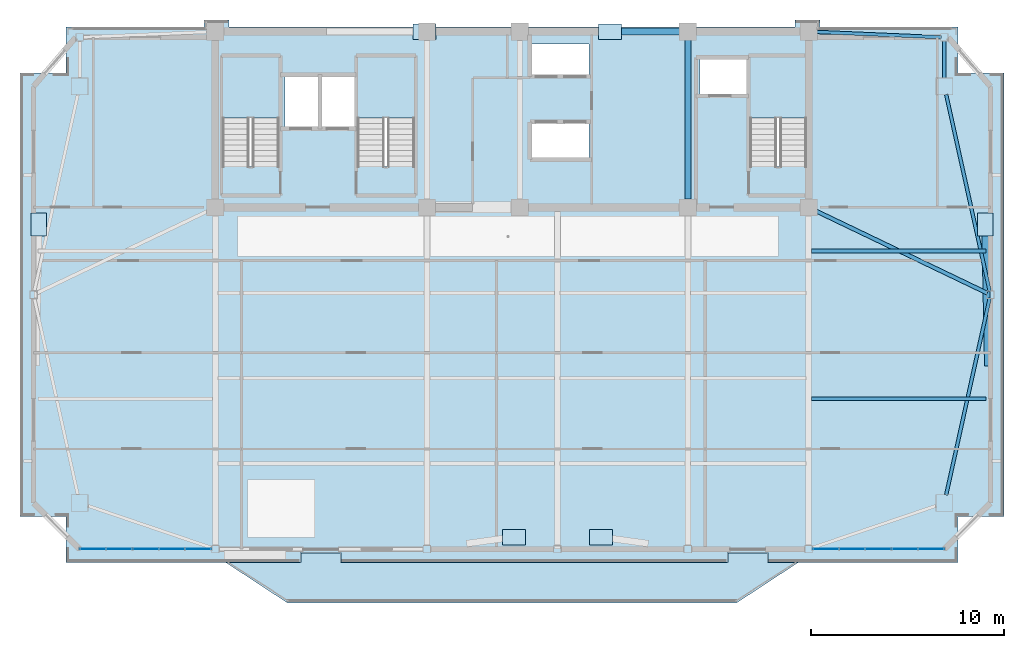
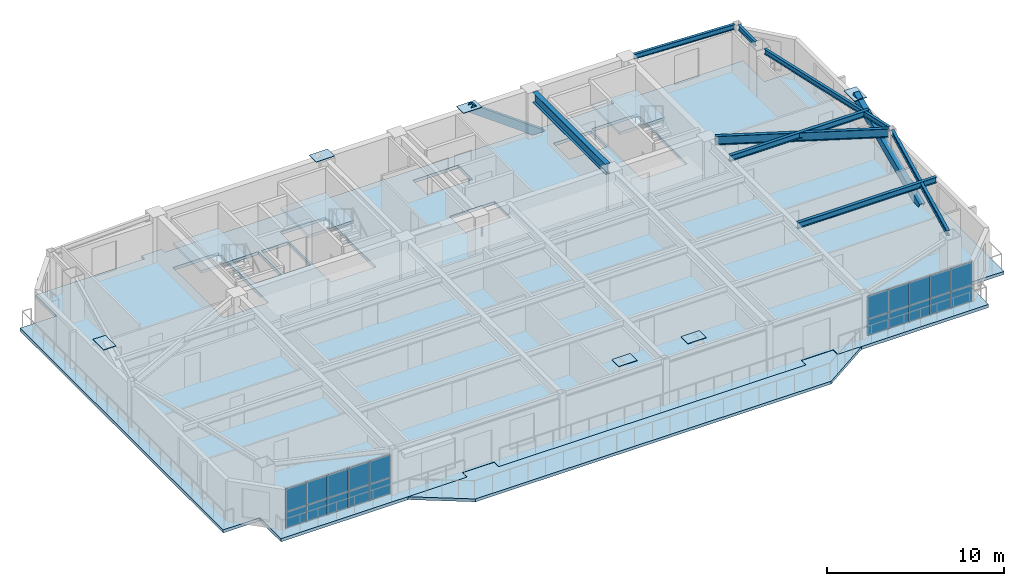
# One storey, part 5 of 13: 26 plates, 8 beams, 5 slabs, 2 members, 5 elements without a shape of their own.
"""IFC4 building model written with IfcOpenShell, lengths in metres."""

from ifc_helpers import new_model, si_unit, direction, frame, origin, origin_2d, place, context, subcontext, project, spatial, polyline, rectangle, hollow_rectangle, i_section, outline, extrude, source, transform, mapped, material, layer, layer_set, material_profile, profile_set, type_object, element, aggregate, save


model = new_model("IFC4")

# Units and contexts
model_context = context("Model", 3, precision=1e-05, world=origin(), true_north=direction((0.0, 1.0)))
body_context = subcontext(model_context, "Body", "Model", "MODEL_VIEW")
ifc_project = project(units=[si_unit("LENGTHUNIT", "METRE"), si_unit("AREAUNIT", "SQUARE_METRE"), si_unit("VOLUMEUNIT", "CUBIC_METRE"), si_unit("PLANEANGLEUNIT", "RADIAN"), si_unit("MASSUNIT", "GRAM", prefix="KILO")], contexts=[model_context])

# Site, building, storey
site_placement = place(None, origin())
site = spatial("IfcSite", under=ifc_project, at=site_placement, CompositionType="ELEMENT")
building_placement = place(site_placement, origin())
building = spatial("IfcBuilding", under=site, at=building_placement, Name="Giltprow Tower", CompositionType="ELEMENT")
storey_placement = place(building_placement, frame((0.0, 0.0, 307.39990234375)))
storey = spatial("IfcBuildingStorey", under=building, at=storey_placement, Name="L79", CompositionType="ELEMENT", Elevation=307.39990234375)

# Beams
ifc_material_1 = material(Name="Structural steel Q355B", Category="steel")
ifc_material_profile_1 = material_profile(ifc_material_1, i_section(OverallWidth=0.300048828125, OverallDepth=0.699951171875, WebThickness=0.012939453125, FlangeThickness=0.02392578125, at=origin_2d()), Name="HN 700x300x13x24")
ifc_profile_set_1 = profile_set([ifc_material_profile_1], Name="Structural steel Q355B")
beam_type_1 = type_object("IfcBeamType", Name="BM-GIRD-HN700", PredefinedType="BEAM", material=ifc_profile_set_1)
shared_shape_1 = source(origin(), body_context, "Body", "SweptSolid", [
    extrude(i_section(OverallWidth=0.300048828125, OverallDepth=0.699951171875, WebThickness=0.012939453125, FlangeThickness=0.02392578125, at=origin_2d()), origin(), (0.0, 0.0, 1.0), 8.22998046875),
])
beam_1_placement = place(storey_placement, frame((44.300048828125, 37.885009765625, 2.835205078125), z_axis=(0.0, 1.0, 0.0), x_axis=(-1.0, 0.0, 0.0)))
element("IfcBeam", 1, at=beam_1_placement, inside=storey, type_object=beam_type_1, Name="L79 Core Tie Girder M3", PredefinedType="BEAM", context=body_context, shape_type="MappedRepresentation", body=[
    mapped(shared_shape_1, transform((0.0, 0.0, 0.0), x_axis=(1.0, 0.0, 0.0), y_axis=(0.0, 1.0, 0.0), z_axis=(0.0, 0.0, 1.0), scale=1.0)),
])
ifc_material_profile_2 = material_profile(ifc_material_1, i_section(OverallWidth=0.199951171875, OverallDepth=0.39990234375, WebThickness=0.008056640625, FlangeThickness=0.012939453125, at=origin_2d()), Name="HN 400x200x8x13")
ifc_profile_set_2 = profile_set([ifc_material_profile_2], Name="Structural steel Q355B")
beam_type_2 = type_object("IfcBeamType", Name="BM-JOIST-HN400", PredefinedType="JOIST", material=ifc_profile_set_2)
shared_shape_2 = source(origin(), body_context, "Body", "SweptSolid", [
    extrude(i_section(OverallWidth=0.199951171875, OverallDepth=0.39990234375, WebThickness=0.008056640625, FlangeThickness=0.012939453125, at=origin_2d()), origin(), (0.0, 0.0, 1.0), 9.044921875),
])
for number, where, z_axis, x_axis, name in (
    (2, (50.695068359375, 27.547119140625, 2.985107421875), (1.0, 0.0, 0.0), (0.0, 1.0, 0.0), "L79 East Wing Floor Joist 1"),
    (3, (50.695068359375, 35.193115234375, 2.985107421875), (1.0, 0.0, 0.0), (0.0, 1.0, 0.0), "L79 East Wing Floor Joist 2"),
):
    element("IfcBeam", number, at=place(storey_placement, frame(where, z_axis=z_axis, x_axis=x_axis)), inside=storey, type_object=beam_type_2, Name=name, PredefinedType="JOIST", context=body_context, shape_type="MappedRepresentation", body=[
        mapped(shared_shape_2, transform((0.0, 0.0, 0.0), x_axis=(1.0, 0.0, 0.0), y_axis=(0.0, 1.0, 0.0), z_axis=(0.0, 0.0, 1.0), scale=1.0)),
    ])
ifc_material_profile_3 = material_profile(ifc_material_1, i_section(OverallWidth=0.175048828125, OverallDepth=0.35009765625, WebThickness=0.007080078125, FlangeThickness=0.010986328125, at=origin_2d()), Name="HN 350x175x7x11")
ifc_profile_set_3 = profile_set([ifc_material_profile_3], Name="Structural steel Q355B")
beam_type_3 = type_object("IfcBeamType", Name="BM-SPAN-HN350", PredefinedType="SPANDREL", material=ifc_profile_set_3)
shared_shape_3 = source(origin(), body_context, "Body", "SweptSolid", [
    extrude(i_section(OverallWidth=0.175048828125, OverallDepth=0.35009765625, WebThickness=0.007080078125, FlangeThickness=0.010986328125, at=origin_2d()), origin(), (0.0, 0.0, 1.0), 10.4189453125),
])
beam_2_placement = place(storey_placement, frame((57.6689453125, 22.58203125, 3.010009765625), z_axis=(0.216047103841, 0.976382941741, 0.0), x_axis=(-0.976382941741, 0.216047103841, 0.0)))
element("IfcBeam", 4, at=beam_2_placement, inside=storey, type_object=beam_type_3, Name="L79 Perimeter Spandrel Beam MC_SE-E_MID", PredefinedType="SPANDREL", context=body_context, shape_type="MappedRepresentation", body=[
    mapped(shared_shape_3, transform((0.0, 0.0, 0.0), x_axis=(1.0, 0.0, 0.0), y_axis=(0.0, 1.0, 0.0), z_axis=(0.0, 0.0, 1.0), scale=1.0)),
])
shared_shape_4 = source(origin(), body_context, "Body", "SweptSolid", [
    extrude(i_section(OverallWidth=0.175048828125, OverallDepth=0.35009765625, WebThickness=0.007080078125, FlangeThickness=0.010986328125, at=origin_2d()), origin(), (0.0, 0.0, 1.0), 10.419189453125),
])
beam_3_placement = place(storey_placement, frame((59.919921875, 33.116943359375, 3.010009765625), z_axis=(-0.216042161002, 0.976384035444, 0.0), x_axis=(-0.976384035444, -0.216042161002, 0.0)))
element("IfcBeam", 5, at=beam_3_placement, inside=storey, type_object=beam_type_3, Name="L79 Perimeter Spandrel Beam E_MID-MC_NE", PredefinedType="SPANDREL", context=body_context, shape_type="MappedRepresentation", body=[
    mapped(shared_shape_4, transform((0.0, 0.0, 0.0), x_axis=(1.0, 0.0, 0.0), y_axis=(0.0, 1.0, 0.0), z_axis=(0.0, 0.0, 1.0), scale=1.0)),
])
shared_shape_5 = source(origin(), body_context, "Body", "SweptSolid", [
    extrude(i_section(OverallWidth=0.175048828125, OverallDepth=0.35009765625, WebThickness=0.007080078125, FlangeThickness=0.010986328125, at=origin_2d()), origin(), (0.0, 0.0, 1.0), 1.9150390625),
])
beam_4_placement = place(storey_placement, frame((57.574951171875, 44.14990234375, 3.010009765625), z_axis=(0.0, 1.0, 0.0), x_axis=(-1.0, 0.0, 0.0)))
element("IfcBeam", 6, at=beam_4_placement, inside=storey, type_object=beam_type_3, Name="L79 Perimeter Spandrel Beam MC_NE-N_E", PredefinedType="SPANDREL", context=body_context, shape_type="MappedRepresentation", body=[
    mapped(shared_shape_5, transform((0.0, 0.0, 0.0), x_axis=(1.0, 0.0, 0.0), y_axis=(0.0, 1.0, 0.0), z_axis=(0.0, 0.0, 1.0), scale=1.0)),
])
shared_shape_6 = source(origin(), body_context, "Body", "SweptSolid", [
    extrude(i_section(OverallWidth=0.175048828125, OverallDepth=0.35009765625, WebThickness=0.007080078125, FlangeThickness=0.010986328125, at=origin_2d()), origin(), (0.0, 0.0, 1.0), 6.41064453125),
])
beam_5_placement = place(storey_placement, frame((50.985107421875, 46.531005859375, 3.010009765625), z_axis=(0.99909315406, -0.042577805376, 0.0), x_axis=(0.042577805376, 0.99909315406, 0.0)))
element("IfcBeam", 7, at=beam_5_placement, inside=storey, type_object=beam_type_3, Name="L79 North Wing Spandrel E", PredefinedType="SPANDREL", context=body_context, shape_type="MappedRepresentation", body=[
    mapped(shared_shape_6, transform((0.0, 0.0, 0.0), x_axis=(1.0, 0.0, 0.0), y_axis=(0.0, 1.0, 0.0), z_axis=(0.0, 0.0, 1.0), scale=1.0)),
])
ifc_material_profile_4 = material_profile(ifc_material_1, i_section(OverallWidth=0.199951171875, OverallDepth=0.60009765625, WebThickness=0.010986328125, FlangeThickness=0.01708984375, at=origin_2d()), Name="HN 600x200x11x17")
ifc_profile_set_4 = profile_set([ifc_material_profile_4], Name="Structural steel Q355B")
beam_type_4 = type_object("IfcBeamType", Name="BM-GIRD-HN600", PredefinedType="BEAM", material=ifc_profile_set_4)
shared_shape_7 = source(origin(), body_context, "Body", "SweptSolid", [
    extrude(i_section(OverallWidth=0.199951171875, OverallDepth=0.60009765625, WebThickness=0.010986328125, FlangeThickness=0.01708984375, at=origin_2d()), origin(), (0.0, 0.0, 1.0), 9.816650390625),
])
beam_6_placement = place(storey_placement, frame((59.79296875, 33.01611328125, 2.885009765625), z_axis=(-0.901628977648, 0.432510331281, 0.0), x_axis=(-0.432510331281, -0.901628977648, 0.0)))
element("IfcBeam", 8, at=beam_6_placement, inside=storey, type_object=beam_type_4, Name="L79 East Wing Primary Girder", PredefinedType="BEAM", context=body_context, shape_type="MappedRepresentation", body=[
    mapped(shared_shape_7, transform((0.0, 0.0, 0.0), x_axis=(1.0, 0.0, 0.0), y_axis=(0.0, 1.0, 0.0), z_axis=(0.0, 0.0, 1.0), scale=1.0)),
])

# Members
ifc_material_2 = material(Name="Structural steel Q420GJC", Category="steel")
ifc_material_profile_5 = material_profile(ifc_material_2, hollow_rectangle(XDim=0.35009765625, YDim=0.5, WallThickness=0.02392578125, at=origin_2d()), Name="RHS 500x350x24")
ifc_profile_set_5 = profile_set([ifc_material_profile_5], Name="Structural steel Q420GJC")
member_type = type_object("IfcMemberType", Name="MBR-MEGA-RHS500", PredefinedType="BRACE", material=ifc_profile_set_5)
shared_shape_8 = source(origin(), body_context, "Body", "SweptSolid", [
    extrude(hollow_rectangle(XDim=0.35009765625, YDim=0.5, WallThickness=0.02392578125, at=origin_2d()), origin(), (0.0, 0.0, 1.0), 5.773193359375),
])
member_1_placement = place(storey_placement, frame((44.93310546875, 46.550048828125, -0.139892578125), z_axis=(-0.808205443046, 0.0, 0.588900638335), x_axis=(0.0, -1.0, 0.0)))
element("IfcMember", 9, at=member_1_placement, inside=storey, type_object=member_type, Name="L79 Chevron Mega-Brace N-R", PredefinedType="BRACE", context=body_context, shape_type="MappedRepresentation", body=[
    mapped(shared_shape_8, transform((0.0, 0.0, 0.0), x_axis=(1.0, 0.0, 0.0), y_axis=(0.0, 1.0, 0.0), z_axis=(0.0, 0.0, 1.0), scale=1.0)),
])
shared_shape_9 = source(origin(), body_context, "Body", "SweptSolid", [
    extrude(hollow_rectangle(XDim=0.35009765625, YDim=0.5, WallThickness=0.02392578125, at=origin_2d()), origin(), (0.0, 0.0, 1.0), 7.96484375),
])
member_2_placement = place(storey_placement, frame((59.822021484375, 29.35888671875, 0.0), z_axis=(-0.01731878914, 0.904132751278, 0.426900489119), x_axis=(-0.999816590783, -0.019151626451, 0.0)))
element("IfcMember", 10, at=member_2_placement, inside=storey, type_object=member_type, Name="L79 Chevron Mega-Brace E-D", PredefinedType="BRACE", context=body_context, shape_type="MappedRepresentation", body=[
    mapped(shared_shape_9, transform((0.0, 0.0, 0.0), x_axis=(1.0, 0.0, 0.0), y_axis=(0.0, 1.0, 0.0), z_axis=(0.0, 0.0, 1.0), scale=1.0)),
])

# Slabs
ifc_material_3 = material(Name="Concrete C40", Category="concrete")
ifc_layer_1 = layer(ifc_material_3, 0.199951171875, Name="Concrete C40")
ifc_layer_set_1 = layer_set([ifc_layer_1], Name="Concrete C40")
slab_type_1 = type_object("IfcSlabType", Name="SLB-BALC-BRONZE-200", PredefinedType="FLOOR", material=ifc_layer_set_1)
slab_1_placement = place(storey_placement, frame((0.0, 0.0, -0.199951171875)))
element("IfcSlab", 11, at=slab_1_placement, inside=storey, type_object=slab_type_1, Name="L79 Bronze Prow Waterfront Balcony Slab", PredefinedType="FLOOR", context=body_context, shape_type="SweptSolid", body=[
    extrude(outline(polyline([(50.0, 19.072021484375), (46.800048828125, 16.971923828125), (23.60009765625, 16.971923828125), (20.39990234375, 19.072021484375), (24.280029296875, 19.072021484375), (24.280029296875, 19.572021484375), (26.320068359375, 19.572021484375), (26.320068359375, 19.072021484375), (46.3798828125, 19.072021484375), (46.3798828125, 19.572021484375), (48.419921875, 19.572021484375), (48.419921875, 19.072021484375), (50.0, 19.072021484375)])), origin(), (0.0, 0.0, 1.0), 0.199951171875),
])
ifc_layer_2 = layer(ifc_material_3, 0.215087890625, Name="Concrete C40")
ifc_layer_set_2 = layer_set([ifc_layer_2], Name="Concrete C40")
slab_type_2 = type_object("IfcSlabType", Name="SLB-RES-215", PredefinedType="FLOOR", material=ifc_layer_set_2)
slab_2_placement = place(storey_placement, frame((0.0, 0.0, -0.21484375)))
element("IfcSlab", 12, at=slab_2_placement, inside=storey, type_object=slab_type_2, Name="L79 Structural Composite Floor Slab", PredefinedType="FLOOR", context=body_context, shape_type="SweptSolid", body=[
    extrude(outline(polyline([(60.659912109375, 44.4150390625), (60.659912109375, 21.45703125), (58.27587890625, 21.45703125), (58.27587890625, 19.072021484375), (48.449951171875, 19.072021484375), (48.449951171875, 19.592041015625), (46.35009765625, 19.592041015625), (46.35009765625, 19.072021484375), (26.35009765625, 19.072021484375), (26.35009765625, 19.592041015625), (24.25, 19.592041015625), (24.25, 19.072021484375), (12.125, 19.072021484375), (12.125, 21.45703125), (9.739990234375, 21.45703125), (9.739990234375, 44.4150390625), (12.125, 44.4150390625), (12.125, 46.800048828125), (19.25, 46.800048828125), (19.25, 47.14990234375), (20.550048828125, 47.14990234375), (20.550048828125, 46.800048828125), (49.85009765625, 46.800048828125), (49.85009765625, 47.14990234375), (51.14990234375, 47.14990234375), (51.14990234375, 46.800048828125), (58.27587890625, 46.800048828125), (58.27587890625, 44.4150390625), (60.659912109375, 44.4150390625)]), holes=[polyline([(39.18994140625, 41.800048828125), (36.239990234375, 41.800048828125), (36.239990234375, 40.0), (39.18994140625, 40.0), (39.18994140625, 41.800048828125)]), polyline([(23.159912109375, 39.570068359375), (23.159912109375, 45.25), (20.199951171875, 45.25), (20.199951171875, 39.570068359375), (23.159912109375, 39.570068359375)]), polyline([(30.159912109375, 39.570068359375), (30.159912109375, 45.25), (27.199951171875, 45.25), (27.199951171875, 39.570068359375), (30.159912109375, 39.570068359375)]), polyline([(50.4599609375, 45.25), (47.5, 45.25), (47.5, 39.570068359375), (50.4599609375, 39.570068359375), (50.4599609375, 45.25)]), polyline([(25.169921875, 44.199951171875), (23.449951171875, 44.199951171875), (23.449951171875, 41.60009765625), (25.169921875, 41.60009765625), (25.169921875, 44.199951171875)]), polyline([(27.10009765625, 44.199951171875), (25.35009765625, 44.199951171875), (25.35009765625, 41.60009765625), (27.10009765625, 41.60009765625), (27.10009765625, 44.199951171875)]), polyline([(47.3798828125, 43.300048828125), (47.3798828125, 45.10009765625), (44.919921875, 45.10009765625), (44.919921875, 43.300048828125), (47.3798828125, 43.300048828125)]), polyline([(39.18994140625, 44.300048828125), (39.18994140625, 45.919921875), (36.239990234375, 45.919921875), (36.239990234375, 44.300048828125), (39.18994140625, 44.300048828125)])]), origin(), (0.0, 0.0, 1.0), 0.21484375),
])

# Stair, slab
stair_type_1 = type_object("IfcStairType", Name="STR-ST-1", PredefinedType="HALF_TURN_STAIR", material=ifc_material_3)
stair_1_placement = place(storey_placement, origin())
stair_1 = element("IfcStair", 13, at=stair_1_placement, inside=storey, type_object=stair_type_1, Name="L79 Core Exit Stair ST-1", PredefinedType="HALF_TURN_STAIR")
ifc_layer_3 = layer(ifc_material_3, 0.179931640625, Name="Concrete C40")
ifc_layer_set_3 = layer_set([ifc_layer_3], Name="Concrete C40")
slab_type_3 = type_object("IfcSlabType", Name="SLD-ST-1", PredefinedType="LANDING", material=ifc_layer_set_3)
slab_3_placement = place(storey_placement, frame((0.0, 0.0, 1.52001953125)))
slab_3 = element("IfcSlab", 14, at=slab_3_placement, type_object=slab_type_3, Name="ST-1 landing 1", PredefinedType="LANDING", context=body_context, shape_type="SweptSolid", body=[
    extrude(outline(polyline([(23.159912109375, 42.070068359375), (23.159912109375, 45.25), (20.199951171875, 45.25), (20.199951171875, 42.070068359375), (23.159912109375, 42.070068359375)])), origin(), (0.0, 0.0, 1.0), 0.18017578125),
])
aggregate(stair_1, [slab_3])

stair_type_2 = type_object("IfcStairType", Name="STR-ST-2", PredefinedType="HALF_TURN_STAIR", material=ifc_material_3)
stair_2_placement = place(storey_placement, origin())
stair_2 = element("IfcStair", 15, at=stair_2_placement, inside=storey, type_object=stair_type_2, Name="L79 Core Exit Stair ST-2", PredefinedType="HALF_TURN_STAIR")
ifc_layer_4 = layer(ifc_material_3, 0.18798828125, Name="Concrete C40")
ifc_layer_set_4 = layer_set([ifc_layer_4], Name="Concrete C40")
slab_type_4 = type_object("IfcSlabType", Name="SLD-ST-2", PredefinedType="LANDING", material=ifc_layer_set_4)
slab_4_placement = place(storey_placement, frame((0.0, 0.0, 1.51220703125)))
slab_4 = element("IfcSlab", 16, at=slab_4_placement, type_object=slab_type_4, Name="ST-2 landing 1", PredefinedType="LANDING", context=body_context, shape_type="SweptSolid", body=[
    extrude(outline(polyline([(30.159912109375, 42.070068359375), (30.159912109375, 45.25), (27.199951171875, 45.25), (27.199951171875, 42.070068359375), (30.159912109375, 42.070068359375)])), origin(), (0.0, 0.0, 1.0), 0.18798828125),
])
aggregate(stair_2, [slab_4])

stair_type_3 = type_object("IfcStairType", Name="STR-ST-3", PredefinedType="HALF_TURN_STAIR", material=ifc_material_3)
stair_3_placement = place(storey_placement, origin())
stair_3 = element("IfcStair", 17, at=stair_3_placement, inside=storey, type_object=stair_type_3, Name="L79 Core Exit Stair ST-3", PredefinedType="HALF_TURN_STAIR")
ifc_layer_5 = layer(ifc_material_3, 0.196044921875, Name="Concrete C40")
ifc_layer_set_5 = layer_set([ifc_layer_5], Name="Concrete C40")
slab_type_5 = type_object("IfcSlabType", Name="SLD-ST-3", PredefinedType="LANDING", material=ifc_layer_set_5)
slab_5_placement = place(storey_placement, frame((0.0, 0.0, 1.504150390625)))
slab_5 = element("IfcSlab", 18, at=slab_5_placement, type_object=slab_type_5, Name="ST-3 landing 1", PredefinedType="LANDING", context=body_context, shape_type="SweptSolid", body=[
    extrude(outline(polyline([(50.4599609375, 42.070068359375), (50.4599609375, 45.25), (47.5, 45.25), (47.5, 42.070068359375), (50.4599609375, 42.070068359375)])), origin(), (0.0, 0.0, 1.0), 0.196044921875),
])
aggregate(stair_3, [slab_5])

# Plates
plate_type_1 = type_object("IfcPlateType", Name="PLT-CAP-SEAL", PredefinedType="USERDEFINED", material=ifc_material_2)
shared_shape_10 = source(origin(), body_context, "Body", "SweptSolid", [
    extrude(rectangle(XDim=1.199951171875, YDim=0.800048828125, at=origin_2d()), origin(), (0.0, 0.0, 1.0), 0.034912109375),
])
for number, where, z_axis, x_axis, name in (
    (19, (35.300048828125, 20.39306640625, 3.3828125), (0.0, 0.0, 1.0), (1.0, 0.0, 0.0), "Mega-Brace Node L79-S-LB"),
    (20, (39.800048828125, 20.39306640625, 3.3828125), (0.0, 0.0, 1.0), (1.0, 0.0, 0.0), "Mega-Brace Node L79-S-RB"),
    (21, (30.6669921875, 46.550048828125, 3.24267578125), (0.0, 0.0, 1.0), (1.0, 0.0, 0.0), "Mega-Brace Node L79-N-LB"),
    (22, (40.26708984375, 46.550048828125, 3.24267578125), (0.0, 0.0, 1.0), (1.0, 0.0, 0.0), "Mega-Brace Node L79-N-RB"),
    (23, (10.717041015625, 36.56005859375, 3.3828125), (0.0, 0.0, 1.0), (0.0, 1.0, 0.0), "Mega-Brace Node L79-W-DB"),
    (24, (59.68408203125, 36.56005859375, 3.3828125), (0.0, 0.0, 1.0), (0.0, 1.0, 0.0), "Mega-Brace Node L79-E-DB"),
):
    element("IfcPlate", number, at=place(storey_placement, frame(where, z_axis=z_axis, x_axis=x_axis)), inside=storey, type_object=plate_type_1, Name=name, ObjectType="SPLICE", PredefinedType="USERDEFINED", context=body_context, shape_type="MappedRepresentation", body=[
        mapped(shared_shape_10, transform((0.0, 0.0, 0.0), x_axis=(1.0, 0.0, 0.0), y_axis=(0.0, 1.0, 0.0), z_axis=(0.0, 0.0, 1.0), scale=1.0)),
    ])

# Curtain wall, plates
ifc_material_4 = material(Name="Anodized bronze", Category="metal")
ifc_layer_6 = layer(ifc_material_4, 0.179931640625, Name="Anodized bronze")
ifc_layer_set_6 = layer_set([ifc_layer_6], Name="Anodized bronze")
curtain_wall_type = type_object("IfcCurtainWallType", Name="CW-RES-SKY", PredefinedType="NOTDEFINED", material=ifc_layer_set_6)
curtain_wall_1_placement = place(storey_placement, origin())
curtain_wall_1 = element("IfcCurtainWall", 25, at=curtain_wall_1_placement, inside=storey, type_object=curtain_wall_type, Name="L79 South Recessed Curtain Wall 1", PredefinedType="NOTDEFINED")
ifc_material_5 = material(Name="Insulated glass", Category="glass")
plate_type_2 = type_object("IfcPlateType", Name="CW-PANEL-IGU-28", PredefinedType="CURTAIN_PANEL", material=ifc_material_5)
shared_shape_11 = source(origin(), body_context, "Body", "SweptSolid", [
    extrude(rectangle(XDim=1.3349609375, YDim=0.028076171875, at=origin_2d()), origin(), (0.0, 0.0, 1.0), 1.114013671875),
])
plate_1_placement = place(storey_placement, frame((13.507080078125, 19.77197265625, 0.05419921875), z_axis=(0.0, 0.0, 1.0), x_axis=(1.0, 0.0, 0.0)))
plate_1 = element("IfcPlate", 26, at=plate_1_placement, type_object=plate_type_2, Name="L79 South Recessed Curtain Wall 1 Glazing Panel 1-1", PredefinedType="CURTAIN_PANEL", context=body_context, shape_type="MappedRepresentation", body=[
    mapped(shared_shape_11, transform((0.0, 0.0, 0.0), x_axis=(1.0, 0.0, 0.0), y_axis=(0.0, 1.0, 0.0), z_axis=(0.0, 0.0, 1.0), scale=1.0)),
])
plate_2_placement = place(storey_placement, frame((14.8720703125, 19.77197265625, 0.05419921875), z_axis=(0.0, 0.0, 1.0), x_axis=(1.0, 0.0, 0.0)))
plate_2 = element("IfcPlate", 27, at=plate_2_placement, type_object=plate_type_2, Name="L79 South Recessed Curtain Wall 1 Glazing Panel 2-1", PredefinedType="CURTAIN_PANEL", context=body_context, shape_type="MappedRepresentation", body=[
    mapped(shared_shape_11, transform((0.0, 0.0, 0.0), x_axis=(1.0, 0.0, 0.0), y_axis=(0.0, 1.0, 0.0), z_axis=(0.0, 0.0, 1.0), scale=1.0)),
])
plate_3_placement = place(storey_placement, frame((16.237060546875, 19.77197265625, 0.05419921875), z_axis=(0.0, 0.0, 1.0), x_axis=(1.0, 0.0, 0.0)))
plate_3 = element("IfcPlate", 28, at=plate_3_placement, type_object=plate_type_2, Name="L79 South Recessed Curtain Wall 1 Glazing Panel 3-1", PredefinedType="CURTAIN_PANEL", context=body_context, shape_type="MappedRepresentation", body=[
    mapped(shared_shape_11, transform((0.0, 0.0, 0.0), x_axis=(1.0, 0.0, 0.0), y_axis=(0.0, 1.0, 0.0), z_axis=(0.0, 0.0, 1.0), scale=1.0)),
])
plate_4_placement = place(storey_placement, frame((17.60205078125, 19.77197265625, 0.05419921875), z_axis=(0.0, 0.0, 1.0), x_axis=(1.0, 0.0, 0.0)))
plate_4 = element("IfcPlate", 29, at=plate_4_placement, type_object=plate_type_2, Name="L79 South Recessed Curtain Wall 1 Glazing Panel 4-1", PredefinedType="CURTAIN_PANEL", context=body_context, shape_type="MappedRepresentation", body=[
    mapped(shared_shape_11, transform((0.0, 0.0, 0.0), x_axis=(1.0, 0.0, 0.0), y_axis=(0.0, 1.0, 0.0), z_axis=(0.0, 0.0, 1.0), scale=1.0)),
])
plate_5_placement = place(storey_placement, frame((18.967041015625, 19.77197265625, 0.05419921875), z_axis=(0.0, 0.0, 1.0), x_axis=(1.0, 0.0, 0.0)))
plate_5 = element("IfcPlate", 30, at=plate_5_placement, type_object=plate_type_2, Name="L79 South Recessed Curtain Wall 1 Glazing Panel 5-1", PredefinedType="CURTAIN_PANEL", context=body_context, shape_type="MappedRepresentation", body=[
    mapped(shared_shape_11, transform((0.0, 0.0, 0.0), x_axis=(1.0, 0.0, 0.0), y_axis=(0.0, 1.0, 0.0), z_axis=(0.0, 0.0, 1.0), scale=1.0)),
])

curtain_wall_2_placement = place(storey_placement, origin())
curtain_wall_2 = element("IfcCurtainWall", 31, at=curtain_wall_2_placement, inside=storey, type_object=curtain_wall_type, Name="L79 South Recessed Curtain Wall 6", PredefinedType="NOTDEFINED")
plate_6_placement = place(storey_placement, frame((51.431884765625, 19.77197265625, 0.05419921875), z_axis=(0.0, 0.0, 1.0), x_axis=(1.0, 0.0, 0.0)))
plate_6 = element("IfcPlate", 32, at=plate_6_placement, type_object=plate_type_2, Name="L79 South Recessed Curtain Wall 6 Glazing Panel 1-1", PredefinedType="CURTAIN_PANEL", context=body_context, shape_type="MappedRepresentation", body=[
    mapped(shared_shape_11, transform((0.0, 0.0, 0.0), x_axis=(1.0, 0.0, 0.0), y_axis=(0.0, 1.0, 0.0), z_axis=(0.0, 0.0, 1.0), scale=1.0)),
])
plate_7_placement = place(storey_placement, frame((52.797119140625, 19.77197265625, 0.05419921875), z_axis=(0.0, 0.0, 1.0), x_axis=(1.0, 0.0, 0.0)))
plate_7 = element("IfcPlate", 33, at=plate_7_placement, type_object=plate_type_2, Name="L79 South Recessed Curtain Wall 6 Glazing Panel 2-1", PredefinedType="CURTAIN_PANEL", context=body_context, shape_type="MappedRepresentation", body=[
    mapped(shared_shape_11, transform((0.0, 0.0, 0.0), x_axis=(1.0, 0.0, 0.0), y_axis=(0.0, 1.0, 0.0), z_axis=(0.0, 0.0, 1.0), scale=1.0)),
])
plate_8_placement = place(storey_placement, frame((54.1630859375, 19.77197265625, 0.05419921875), z_axis=(0.0, 0.0, 1.0), x_axis=(1.0, 0.0, 0.0)))
plate_8 = element("IfcPlate", 34, at=plate_8_placement, type_object=plate_type_2, Name="L79 South Recessed Curtain Wall 6 Glazing Panel 3-1", PredefinedType="CURTAIN_PANEL", context=body_context, shape_type="MappedRepresentation", body=[
    mapped(shared_shape_11, transform((0.0, 0.0, 0.0), x_axis=(1.0, 0.0, 0.0), y_axis=(0.0, 1.0, 0.0), z_axis=(0.0, 0.0, 1.0), scale=1.0)),
])
plate_9_placement = place(storey_placement, frame((55.528076171875, 19.77197265625, 0.05419921875), z_axis=(0.0, 0.0, 1.0), x_axis=(1.0, 0.0, 0.0)))
plate_9 = element("IfcPlate", 35, at=plate_9_placement, type_object=plate_type_2, Name="L79 South Recessed Curtain Wall 6 Glazing Panel 4-1", PredefinedType="CURTAIN_PANEL", context=body_context, shape_type="MappedRepresentation", body=[
    mapped(shared_shape_11, transform((0.0, 0.0, 0.0), x_axis=(1.0, 0.0, 0.0), y_axis=(0.0, 1.0, 0.0), z_axis=(0.0, 0.0, 1.0), scale=1.0)),
])
plate_10_placement = place(storey_placement, frame((56.89306640625, 19.77197265625, 0.05419921875), z_axis=(0.0, 0.0, 1.0), x_axis=(1.0, 0.0, 0.0)))
plate_10 = element("IfcPlate", 36, at=plate_10_placement, type_object=plate_type_2, Name="L79 South Recessed Curtain Wall 6 Glazing Panel 5-1", PredefinedType="CURTAIN_PANEL", context=body_context, shape_type="MappedRepresentation", body=[
    mapped(shared_shape_11, transform((0.0, 0.0, 0.0), x_axis=(1.0, 0.0, 0.0), y_axis=(0.0, 1.0, 0.0), z_axis=(0.0, 0.0, 1.0), scale=1.0)),
])

# Plate
shared_shape_12 = source(origin(), body_context, "Body", "SweptSolid", [
    extrude(rectangle(XDim=1.3349609375, YDim=0.028076171875, at=origin_2d()), origin(), (0.0, 0.0, 1.0), 1.56494140625),
])
plate_11_placement = place(storey_placement, frame((13.507080078125, 19.77197265625, 1.196533203125), z_axis=(0.0, 0.0, 1.0), x_axis=(1.0, 0.0, 0.0)))
plate_11 = element("IfcPlate", 37, at=plate_11_placement, type_object=plate_type_2, Name="L79 South Recessed Curtain Wall 1 Glazing Panel 1-2", PredefinedType="CURTAIN_PANEL", context=body_context, shape_type="MappedRepresentation", body=[
    mapped(shared_shape_12, transform((0.0, 0.0, 0.0), x_axis=(1.0, 0.0, 0.0), y_axis=(0.0, 1.0, 0.0), z_axis=(0.0, 0.0, 1.0), scale=1.0)),
])

plate_12_placement = place(storey_placement, frame((14.8720703125, 19.77197265625, 1.196533203125), z_axis=(0.0, 0.0, 1.0), x_axis=(1.0, 0.0, 0.0)))
plate_12 = element("IfcPlate", 38, at=plate_12_placement, type_object=plate_type_2, Name="L79 South Recessed Curtain Wall 1 Glazing Panel 2-2", PredefinedType="CURTAIN_PANEL", context=body_context, shape_type="MappedRepresentation", body=[
    mapped(shared_shape_12, transform((0.0, 0.0, 0.0), x_axis=(1.0, 0.0, 0.0), y_axis=(0.0, 1.0, 0.0), z_axis=(0.0, 0.0, 1.0), scale=1.0)),
])

plate_13_placement = place(storey_placement, frame((16.237060546875, 19.77197265625, 1.196533203125), z_axis=(0.0, 0.0, 1.0), x_axis=(1.0, 0.0, 0.0)))
plate_13 = element("IfcPlate", 39, at=plate_13_placement, type_object=plate_type_2, Name="L79 South Recessed Curtain Wall 1 Glazing Panel 3-2", PredefinedType="CURTAIN_PANEL", context=body_context, shape_type="MappedRepresentation", body=[
    mapped(shared_shape_12, transform((0.0, 0.0, 0.0), x_axis=(1.0, 0.0, 0.0), y_axis=(0.0, 1.0, 0.0), z_axis=(0.0, 0.0, 1.0), scale=1.0)),
])

plate_14_placement = place(storey_placement, frame((17.60205078125, 19.77197265625, 1.196533203125), z_axis=(0.0, 0.0, 1.0), x_axis=(1.0, 0.0, 0.0)))
plate_14 = element("IfcPlate", 40, at=plate_14_placement, type_object=plate_type_2, Name="L79 South Recessed Curtain Wall 1 Glazing Panel 4-2", PredefinedType="CURTAIN_PANEL", context=body_context, shape_type="MappedRepresentation", body=[
    mapped(shared_shape_12, transform((0.0, 0.0, 0.0), x_axis=(1.0, 0.0, 0.0), y_axis=(0.0, 1.0, 0.0), z_axis=(0.0, 0.0, 1.0), scale=1.0)),
])

plate_15_placement = place(storey_placement, frame((18.967041015625, 19.77197265625, 1.196533203125), z_axis=(0.0, 0.0, 1.0), x_axis=(1.0, 0.0, 0.0)))
plate_15 = element("IfcPlate", 41, at=plate_15_placement, type_object=plate_type_2, Name="L79 South Recessed Curtain Wall 1 Glazing Panel 5-2", PredefinedType="CURTAIN_PANEL", context=body_context, shape_type="MappedRepresentation", body=[
    mapped(shared_shape_12, transform((0.0, 0.0, 0.0), x_axis=(1.0, 0.0, 0.0), y_axis=(0.0, 1.0, 0.0), z_axis=(0.0, 0.0, 1.0), scale=1.0)),
])

aggregate(curtain_wall_1, [plate_1, plate_11, plate_2, plate_12, plate_3, plate_13, plate_4, plate_14, plate_5, plate_15])

plate_16_placement = place(storey_placement, frame((51.431884765625, 19.77197265625, 1.196533203125), z_axis=(0.0, 0.0, 1.0), x_axis=(1.0, 0.0, 0.0)))
plate_16 = element("IfcPlate", 42, at=plate_16_placement, type_object=plate_type_2, Name="L79 South Recessed Curtain Wall 6 Glazing Panel 1-2", PredefinedType="CURTAIN_PANEL", context=body_context, shape_type="MappedRepresentation", body=[
    mapped(shared_shape_12, transform((0.0, 0.0, 0.0), x_axis=(1.0, 0.0, 0.0), y_axis=(0.0, 1.0, 0.0), z_axis=(0.0, 0.0, 1.0), scale=1.0)),
])

plate_17_placement = place(storey_placement, frame((52.797119140625, 19.77197265625, 1.196533203125), z_axis=(0.0, 0.0, 1.0), x_axis=(1.0, 0.0, 0.0)))
plate_17 = element("IfcPlate", 43, at=plate_17_placement, type_object=plate_type_2, Name="L79 South Recessed Curtain Wall 6 Glazing Panel 2-2", PredefinedType="CURTAIN_PANEL", context=body_context, shape_type="MappedRepresentation", body=[
    mapped(shared_shape_12, transform((0.0, 0.0, 0.0), x_axis=(1.0, 0.0, 0.0), y_axis=(0.0, 1.0, 0.0), z_axis=(0.0, 0.0, 1.0), scale=1.0)),
])

plate_18_placement = place(storey_placement, frame((54.1630859375, 19.77197265625, 1.196533203125), z_axis=(0.0, 0.0, 1.0), x_axis=(1.0, 0.0, 0.0)))
plate_18 = element("IfcPlate", 44, at=plate_18_placement, type_object=plate_type_2, Name="L79 South Recessed Curtain Wall 6 Glazing Panel 3-2", PredefinedType="CURTAIN_PANEL", context=body_context, shape_type="MappedRepresentation", body=[
    mapped(shared_shape_12, transform((0.0, 0.0, 0.0), x_axis=(1.0, 0.0, 0.0), y_axis=(0.0, 1.0, 0.0), z_axis=(0.0, 0.0, 1.0), scale=1.0)),
])

plate_19_placement = place(storey_placement, frame((55.528076171875, 19.77197265625, 1.196533203125), z_axis=(0.0, 0.0, 1.0), x_axis=(1.0, 0.0, 0.0)))
plate_19 = element("IfcPlate", 45, at=plate_19_placement, type_object=plate_type_2, Name="L79 South Recessed Curtain Wall 6 Glazing Panel 4-2", PredefinedType="CURTAIN_PANEL", context=body_context, shape_type="MappedRepresentation", body=[
    mapped(shared_shape_12, transform((0.0, 0.0, 0.0), x_axis=(1.0, 0.0, 0.0), y_axis=(0.0, 1.0, 0.0), z_axis=(0.0, 0.0, 1.0), scale=1.0)),
])

plate_20_placement = place(storey_placement, frame((56.89306640625, 19.77197265625, 1.196533203125), z_axis=(0.0, 0.0, 1.0), x_axis=(1.0, 0.0, 0.0)))
plate_20 = element("IfcPlate", 46, at=plate_20_placement, type_object=plate_type_2, Name="L79 South Recessed Curtain Wall 6 Glazing Panel 5-2", PredefinedType="CURTAIN_PANEL", context=body_context, shape_type="MappedRepresentation", body=[
    mapped(shared_shape_12, transform((0.0, 0.0, 0.0), x_axis=(1.0, 0.0, 0.0), y_axis=(0.0, 1.0, 0.0), z_axis=(0.0, 0.0, 1.0), scale=1.0)),
])

aggregate(curtain_wall_2, [plate_6, plate_16, plate_7, plate_17, plate_8, plate_18, plate_9, plate_19, plate_10, plate_20])

save(model, "model.ifc")
